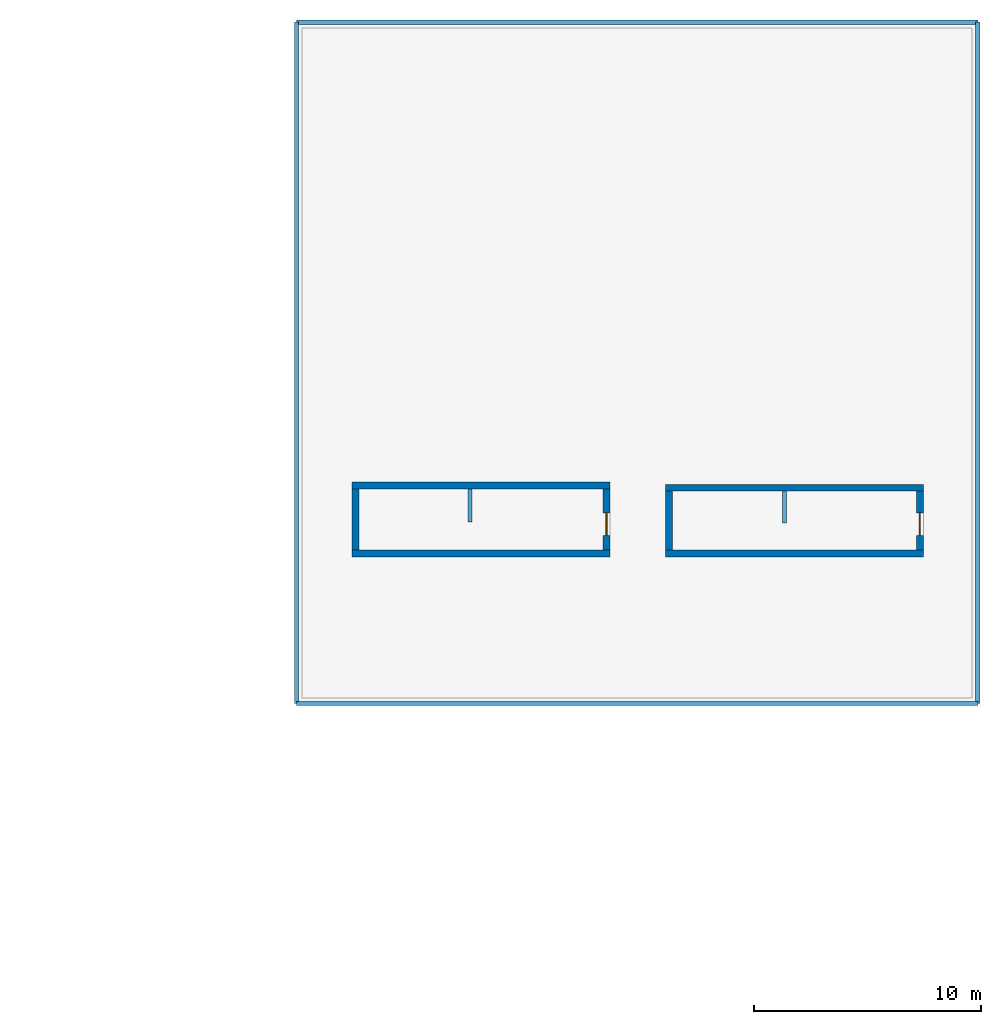
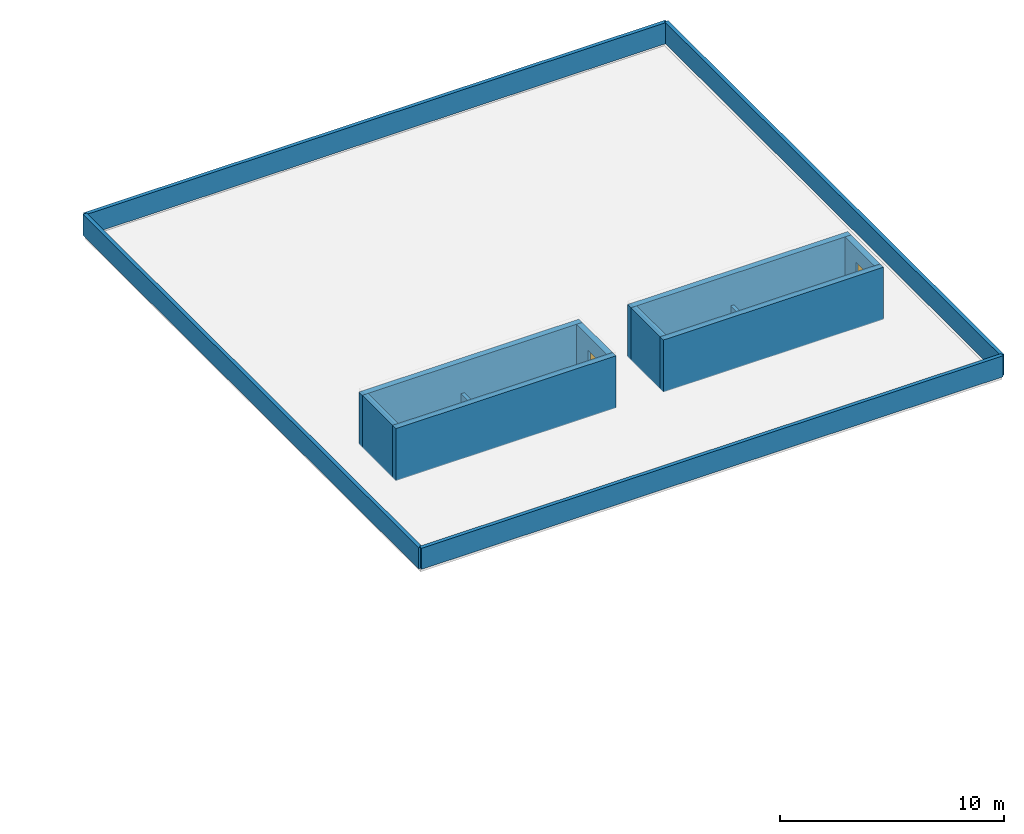
# One storey, part 6 of 9: 14 walls, 2 doors, 2 openings.
"""IFC4 building model written with IfcOpenShell, lengths in metres."""

from ifc_helpers import new_model, si_unit, direction, frame, frame_2d, origin, place, context, subcontext, project, spatial, rectangle, extrude, material, layer, layer_set, type_object, element, fill, save


model = new_model("IFC4")

# Units and contexts
model_context = context("Model", 3, precision=1e-05, world=origin(), true_north=direction((0.0, 1.0)))
body_context = subcontext(model_context, "Body", "Model", "MODEL_VIEW")
ifc_project = project(units=[si_unit("LENGTHUNIT", "METRE"), si_unit("AREAUNIT", "SQUARE_METRE"), si_unit("VOLUMEUNIT", "CUBIC_METRE"), si_unit("PLANEANGLEUNIT", "RADIAN"), si_unit("MASSUNIT", "GRAM", prefix="KILO"), si_unit("POWERUNIT", "WATT"), si_unit("THERMODYNAMICTEMPERATUREUNIT", "KELVIN")], contexts=[model_context])

# Site, building, storey
site_placement = place(None, origin())
site = spatial("IfcSite", under=ifc_project, at=site_placement, CompositionType="ELEMENT")
building_placement = place(site_placement, origin())
building = spatial("IfcBuilding", under=site, at=building_placement, Name="Ruvembo Vaulted Housing Court", CompositionType="ELEMENT")
storey_placement = place(building_placement, frame((0.0, 0.0, 36.5)))
storey = spatial("IfcBuildingStorey", under=building, at=storey_placement, Name="L11", CompositionType="ELEMENT", Elevation=36.5)

# Walls
ifc_material_1 = material(Name="Concrete C35/45", Category="concrete")
ifc_layer_1 = layer(ifc_material_1, 0.300048828125, Name="Concrete C35/45")
ifc_layer_set_1 = layer_set([ifc_layer_1], Name="Concrete C35/45")
wall_type_1 = type_object("IfcWallType", Name="WL-CORE-300", PredefinedType="SHEAR", material=ifc_layer_set_1)
for number, where, z_axis, x_axis, name in (
    (1, (50.449951171875, 90.60009765625, 0.0), (0.0, 0.0, 1.0), (1.0, 0.0, 0.0), "Core B1 L11 Headhouse South Wall"),
    (2, (61.800048828125, 93.60009765625, 0.0), (0.0, 0.0, 1.0), (-1.0, 0.0, 0.0), "Core B1 L11 Headhouse North Wall"),
):
    element("IfcWall", number, at=place(storey_placement, frame(where, z_axis=z_axis, x_axis=x_axis)), inside=storey, type_object=wall_type_1, Name=name, PredefinedType="SHEAR", context=body_context, shape_type="SweptSolid", body=[
        extrude(rectangle(XDim=11.35009765625, YDim=0.300048828125, at=frame_2d((5.675048828125, 0.0))), origin(), (0.0, 0.0, 1.0), 2.85009765625),
    ])
wall_1_placement = place(storey_placement, frame((50.60009765625, 93.449951171875, 0.0), z_axis=(0.0, 0.0, 1.0), x_axis=(0.0, -1.0, 0.0)))
element("IfcWall", 3, at=wall_1_placement, inside=storey, type_object=wall_type_1, Name="Core B1 L11 Headhouse West Wall", PredefinedType="SHEAR", context=body_context, shape_type="SweptSolid", body=[
    extrude(rectangle(XDim=2.699951171875, YDim=0.300048828125, at=frame_2d((1.35009765625, 0.0))), origin(), (0.0, 0.0, 1.0), 2.85009765625),
])

# Wall, opening, door
wall_2_placement = place(storey_placement, frame((61.64990234375, 90.75, 0.0), z_axis=(0.0, 0.0, 1.0), x_axis=(0.0, 1.0, 0.0)))
wall_2 = element("IfcWall", 4, at=wall_2_placement, inside=storey, type_object=wall_type_1, Name="Core B1 L11 Headhouse East Wall", PredefinedType="SHEAR", context=body_context, shape_type="SweptSolid", body=[
    extrude(rectangle(XDim=2.699951171875, YDim=0.300048828125, at=frame_2d((1.35009765625, 0.0))), origin(), (0.0, 0.0, 1.0), 2.85009765625),
])
opening_1_placement = place(wall_2_placement, frame((0.64990234375, 0.0, 0.0)))
opening_1 = element("IfcOpeningElement", 5, at=opening_1_placement, cuts=wall_2, Name="Opening HD1", PredefinedType="OPENING", context=body_context, shape_type="SweptSolid", body=[
    extrude(rectangle(XDim=1.0, YDim=2.050048828125, at=frame_2d((0.5, 1.02490234375))), frame((0.0, 0.159912109375, 0.0), z_axis=(0.0, -1.0, 0.0), x_axis=(1.0, 0.0, 0.0)), (0.0, 0.0, 1.0), 0.320068359375),
])
ifc_material_2 = material(Name="Thermally Broken Glazed Aluminium", Category="aluminium")
door_type = type_object("IfcDoorType", Name="DR-HEADHOUSE-1000x2050", OperationType="NOTDEFINED", PredefinedType="TRAPDOOR", material=ifc_material_2)
door_1_placement = place(opening_1_placement, frame((1.0, 0.0, 0.0), z_axis=(0.0, 0.0, 1.0), x_axis=(-1.0, 0.0, 0.0)))
door_1 = element("IfcDoor", 6, at=door_1_placement, inside=storey, type_object=door_type, Name="Core B1 L11 Stair Headhouse Roof Door", OperationType="SINGLE_SWING_LEFT", OverallHeight=2.050048828125, OverallWidth=1.0, PredefinedType="TRAPDOOR", context=body_context, shape_type="SweptSolid", body=[
    extrude(rectangle(XDim=1.0, YDim=2.050048828125, at=frame_2d((0.5, 1.02490234375))), frame((0.0, 0.02490234375, 0.0), z_axis=(0.0, -1.0, 0.0), x_axis=(1.0, 0.0, 0.0)), (0.0, 0.0, 1.0), 0.050048828125),
])
fill(opening_1, door_1)

# Walls
for number, where, z_axis, x_axis, name in (
    (7, (64.25, 90.60009765625, 0.0), (0.0, 0.0, 1.0), (1.0, 0.0, 0.0), "Core B2 L11 Headhouse South Wall"),
    (8, (75.60009765625, 93.5, 0.0), (0.0, 0.0, 1.0), (-1.0, 0.0, 0.0), "Core B2 L11 Headhouse North Wall"),
):
    element("IfcWall", number, at=place(storey_placement, frame(where, z_axis=z_axis, x_axis=x_axis)), inside=storey, type_object=wall_type_1, Name=name, PredefinedType="SHEAR", context=body_context, shape_type="SweptSolid", body=[
        extrude(rectangle(XDim=11.35009765625, YDim=0.300048828125, at=frame_2d((5.675048828125, 0.0))), origin(), (0.0, 0.0, 1.0), 2.85009765625),
    ])
wall_3_placement = place(storey_placement, frame((64.39990234375, 93.35009765625, 0.0), z_axis=(0.0, 0.0, 1.0), x_axis=(0.0, -1.0, 0.0)))
element("IfcWall", 9, at=wall_3_placement, inside=storey, type_object=wall_type_1, Name="Core B2 L11 Headhouse West Wall", PredefinedType="SHEAR", context=body_context, shape_type="SweptSolid", body=[
    extrude(rectangle(XDim=2.60009765625, YDim=0.300048828125, at=frame_2d((1.300048828125, 0.0))), origin(), (0.0, 0.0, 1.0), 2.85009765625),
])

# Wall, opening, door
wall_4_placement = place(storey_placement, frame((75.449951171875, 90.75, 0.0), z_axis=(0.0, 0.0, 1.0), x_axis=(0.0, 1.0, 0.0)))
wall_4 = element("IfcWall", 10, at=wall_4_placement, inside=storey, type_object=wall_type_1, Name="Core B2 L11 Headhouse East Wall", PredefinedType="SHEAR", context=body_context, shape_type="SweptSolid", body=[
    extrude(rectangle(XDim=2.60009765625, YDim=0.300048828125, at=frame_2d((1.300048828125, 0.0))), origin(), (0.0, 0.0, 1.0), 2.85009765625),
])
opening_2_placement = place(wall_4_placement, frame((0.64990234375, 0.0, 0.0)))
opening_2 = element("IfcOpeningElement", 11, at=opening_2_placement, cuts=wall_4, Name="Opening HD1", PredefinedType="OPENING", context=body_context, shape_type="SweptSolid", body=[
    extrude(rectangle(XDim=1.0, YDim=2.050048828125, at=frame_2d((0.5, 1.02490234375))), frame((0.0, 0.159912109375, 0.0), z_axis=(0.0, -1.0, 0.0), x_axis=(1.0, 0.0, 0.0)), (0.0, 0.0, 1.0), 0.320068359375),
])
door_2_placement = place(opening_2_placement, frame((1.0, 0.0, 0.0), z_axis=(0.0, 0.0, 1.0), x_axis=(-1.0, 0.0, 0.0)))
door_2 = element("IfcDoor", 12, at=door_2_placement, inside=storey, type_object=door_type, Name="Core B2 L11 Stair Headhouse Roof Door", OperationType="SINGLE_SWING_RIGHT", OverallHeight=2.050048828125, OverallWidth=1.0, PredefinedType="TRAPDOOR", context=body_context, shape_type="SweptSolid", body=[
    extrude(rectangle(XDim=1.0, YDim=2.050048828125, at=frame_2d((0.5, 1.02490234375))), frame((0.0, 0.02490234375, 0.0), z_axis=(0.0, -1.0, 0.0), x_axis=(1.0, 0.0, 0.0)), (0.0, 0.0, 1.0), 0.050048828125),
])
fill(opening_2, door_2)

# Walls
ifc_material_3 = material(Name="Concrete C30/37", Category="concrete")
ifc_layer_2 = layer(ifc_material_3, 0.169921875, Name="Concrete C30/37")
ifc_layer_set_2 = layer_set([ifc_layer_2], Name="Concrete C30/37")
wall_type_2 = type_object("IfcWallType", Name="WL-PARAPET-170", PredefinedType="PARAPET", material=ifc_layer_set_2)
wall_5_placement = place(storey_placement, frame((55.635009765625, 93.449951171875, 0.0), z_axis=(0.0, 0.0, 1.0), x_axis=(0.0, -1.0, 0.0)))
element("IfcWall", 13, at=wall_5_placement, inside=storey, type_object=wall_type_2, Name="Core B1 L11 Stairwell Solid Guard Wall 1", PredefinedType="PARAPET", context=body_context, shape_type="SweptSolid", body=[
    extrude(rectangle(XDim=1.449951171875, YDim=0.169921875, at=frame_2d((0.72509765625, 0.0))), origin(), (0.0, 0.0, 1.0), 1.14990234375),
])
wall_6_placement = place(storey_placement, frame((69.485107421875, 93.35009765625, 0.0), z_axis=(0.0, 0.0, 1.0), x_axis=(0.0, -1.0, 0.0)))
element("IfcWall", 14, at=wall_6_placement, inside=storey, type_object=wall_type_2, Name="Core B2 L11 Stairwell Solid Guard Wall 1", PredefinedType="PARAPET", context=body_context, shape_type="SweptSolid", body=[
    extrude(rectangle(XDim=1.400146484375, YDim=0.169921875, at=frame_2d((0.7001953125, 0.0))), origin(), (0.0, 0.0, 1.0), 1.14990234375),
])
ifc_layer_3 = layer(ifc_material_3, 0.18994140625, Name="Concrete C30/37")
ifc_layer_set_3 = layer_set([ifc_layer_3], Name="Concrete C30/37")
wall_type_3 = type_object("IfcWallType", Name="WL-PARAPET-190", PredefinedType="PARAPET", material=ifc_layer_set_3)
for number, where, z_axis, x_axis, name in (
    (15, (48.0, 84.0, 0.0), (0.0, 0.0, 1.0), (1.0, 0.0, 0.0), "Block B L11 Roof Parapet 1"),
    (16, (78.0, 84.0, 0.0), (0.0, 0.0, 1.0), (0.0, 1.0, 0.0), "Block B L11 Roof Parapet 2"),
    (17, (78.0, 114.0, 0.0), (0.0, 0.0, 1.0), (-1.0, 0.0, 0.0), "Block B L11 Roof Parapet 3"),
    (18, (48.0, 114.0, 0.0), (0.0, 0.0, 1.0), (0.0, -1.0, 0.0), "Block B L11 Roof Parapet 4"),
):
    element("IfcWall", number, at=place(storey_placement, frame(where, z_axis=z_axis, x_axis=x_axis)), inside=storey, type_object=wall_type_3, Name=name, PredefinedType="PARAPET", context=body_context, shape_type="SweptSolid", body=[
        extrude(rectangle(XDim=30.0, YDim=0.18994140625, at=frame_2d((15.0, 0.0))), origin(), (0.0, 0.0, 1.0), 1.14990234375),
    ])

save(model, "model.ifc")
